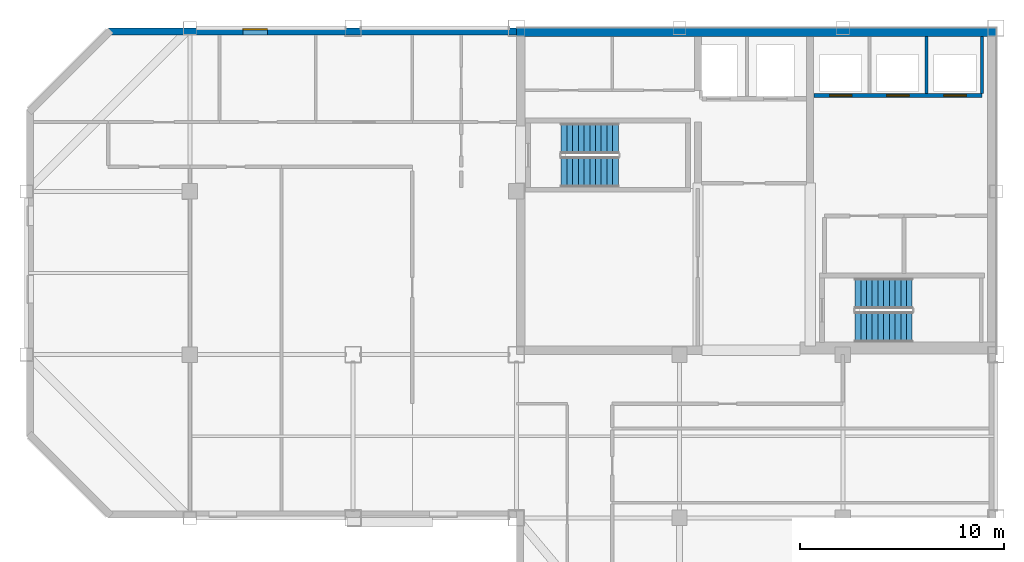
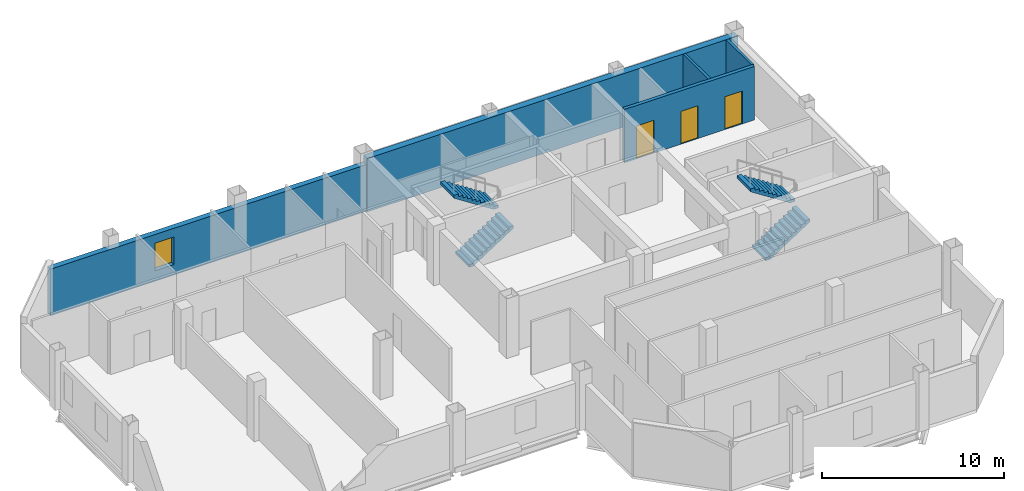
# One storey, part 4 of 7: 5 walls, 4 stair flights, 3 doors, 1 window, 4 openings, 2 elements without a shape of their own.
"""IFC4 building model written with IfcOpenShell, lengths in metres."""

from ifc_helpers import new_model, si_unit, direction, frame, frame_2d, origin, place, context, subcontext, project, spatial, polyline, rectangle, outline, extrude, material, layer, layer_set, type_object, element, fill, aggregate, save


model = new_model("IFC4")

# Units and contexts
model_context = context("Model", 3, precision=1e-05, world=origin(), true_north=direction((0.0, 1.0)))
body_context = subcontext(model_context, "Body", "Model", "MODEL_VIEW")
ifc_project = project(units=[si_unit("LENGTHUNIT", "METRE"), si_unit("AREAUNIT", "SQUARE_METRE"), si_unit("VOLUMEUNIT", "CUBIC_METRE"), si_unit("PLANEANGLEUNIT", "RADIAN"), si_unit("MASSUNIT", "GRAM", prefix="KILO")], contexts=[model_context])

# Site, building, storey
site_placement = place(None, origin())
site = spatial("IfcSite", under=ifc_project, at=site_placement, CompositionType="ELEMENT")
building_placement = place(site_placement, origin())
building = spatial("IfcBuilding", under=site, at=building_placement, Name="Qianrong Seaharbour Tower", CompositionType="ELEMENT")
storey_placement = place(building_placement, frame((0.0, 0.0, 363.199951171875)))
storey = spatial("IfcBuildingStorey", under=building, at=storey_placement, Name="L88", CompositionType="ELEMENT", Elevation=363.199951171875)

# Wall
ifc_material_1 = material(Name="Concrete C50/60", Category="concrete")
ifc_layer_1 = layer(ifc_material_1, 0.419921875)
ifc_layer_set_1 = layer_set([ifc_layer_1], Name="Concrete C50/60")
wall_type_1 = type_object("IfcWallType", Name="WALL-CORE-420", PredefinedType="SHEAR", material=ifc_layer_set_1)
wall_1_placement = place(storey_placement, frame((40.5, 51.7900390625, 0.0), z_axis=(0.0, 0.0, 1.0), x_axis=(1.0, 0.0, 0.0)))
element("IfcWall", 1, at=wall_1_placement, inside=storey, type_object=wall_type_1, Name="L88 North Core Shear Wall", PredefinedType="SHEAR", context=body_context, shape_type="SweptSolid", body=[
    extrude(rectangle(XDim=23.5, YDim=0.419921875, at=frame_2d((11.75, 0.0))), origin(), (0.0, 0.0, 1.0), 3.580078125),
])

# Wall, opening, window
ifc_material_2 = material(Name="Unitised buff brick on Precast concrete C45/55", Category="masonry")
ifc_layer_2 = layer(ifc_material_2, 0.340087890625)
ifc_layer_set_2 = layer_set([ifc_layer_2], Name="Unitised buff brick on Precast concrete C45/55")
wall_type_2 = type_object("IfcWallType", Name="WALL-EXT-BRICK-BUFF-340", PredefinedType="SOLIDWALL", material=ifc_layer_set_2)
wall_2_placement = place(storey_placement, frame((20.5, 51.830078125, 0.0), z_axis=(0.0, 0.0, 1.0), x_axis=(1.0, 0.0, 0.0)))
wall_2 = element("IfcWall", 2, at=wall_2_placement, inside=storey, type_object=wall_type_2, Name="L88 Exterior Masonry Facade Wall NORTH_WING", PredefinedType="SOLIDWALL", context=body_context, shape_type="SweptSolid", body=[
    extrude(rectangle(XDim=20.02001953125, YDim=0.340087890625, at=frame_2d((10.010009765625, 0.0))), origin(), (0.0, 0.0, 1.0), 3.130126953125),
])
opening_1_placement = place(wall_2_placement, frame((6.60009765625, 0.0, 0.699951171875)))
opening_1 = element("IfcOpeningElement", 3, at=opening_1_placement, cuts=wall_2, Name="Opening WN-01", PredefinedType="OPENING", context=body_context, shape_type="SweptSolid", body=[
    extrude(rectangle(XDim=1.199951171875, YDim=1.85009765625, at=frame_2d((0.60009765625, 0.925048828125))), frame((0.0, 0.18017578125, 0.0), z_axis=(0.0, -1.0, 0.0), x_axis=(1.0, 0.0, 0.0)), (0.0, 0.0, 1.0), 0.360107421875),
])
ifc_material_3 = material(Name="Insulated low-e double glazing in thermally broken aluminium 6063-T6 frame", Category="aluminium")
window_type = type_object("IfcWindowType", Name="WIN-PUNCH-1200x1850", PartitioningType="DOUBLE_PANEL_VERTICAL", PredefinedType="WINDOW", material=ifc_material_3)
window_placement = place(opening_1_placement, origin())
window = element("IfcWindow", 4, at=window_placement, inside=storey, type_object=window_type, Name="L88 Deep-Set Punched Window 05.02", OverallHeight=1.85009765625, OverallWidth=1.199951171875, PartitioningType="DOUBLE_PANEL_VERTICAL", PredefinedType="WINDOW", context=body_context, shape_type="SweptSolid", body=[
    extrude(rectangle(XDim=1.199951171875, YDim=1.85009765625, at=frame_2d((0.60009765625, 0.925048828125))), frame((0.0, 0.150146484375, 0.0), z_axis=(0.0, -1.0, 0.0), x_axis=(1.0, 0.0, 0.0)), (0.0, 0.0, 1.0), 0.06005859375),
])
fill(opening_1, window)

# Walls
ifc_material_4 = material(Name="Fire-rated gypsum board on steel studs", Category="steel")
ifc_layer_3 = layer(ifc_material_4, 0.14990234375)
ifc_layer_set_3 = layer_set([ifc_layer_3], Name="Fire-rated gypsum board on steel studs")
wall_type_3 = type_object("IfcWallType", Name="WALL-SHAFT-DIV-150", PredefinedType="PARTITIONING", material=ifc_layer_set_3)
for number, where, z_axis, x_axis, name in (
    (5, (60.60009765625, 48.81005859375, 0.0), (0.0, 0.0, 1.0), (0.0, 1.0, 0.0), "L88 P4 Lift Hoistway Divider 3"),
    (6, (63.320068359375, 48.81005859375, 0.0), (0.0, 0.0, 1.0), (0.0, 1.0, 0.0), "L88 P4 Lift Hoistway Divider 4"),
):
    element("IfcWall", number, at=place(storey_placement, frame(where, z_axis=z_axis, x_axis=x_axis)), inside=storey, type_object=wall_type_3, Name=name, PredefinedType="PARTITIONING", context=body_context, shape_type="SweptSolid", body=[
        extrude(rectangle(XDim=2.77001953125, YDim=0.14990234375, at=frame_2d((1.385009765625, 0.0))), origin(), (0.0, 0.0, 1.0), 3.580078125),
    ])

# Wall, openings, doors
ifc_layer_4 = layer(ifc_material_4, 0.219970703125)
ifc_layer_set_4 = layer_set([ifc_layer_4], Name="Fire-rated gypsum board on steel studs")
wall_type_4 = type_object("IfcWallType", Name="WALL-SHAFT-GYP220", PredefinedType="PARTITIONING", material=ifc_layer_set_4)
wall_3_placement = place(storey_placement, frame((63.320068359375, 48.699951171875, 0.0), z_axis=(0.0, 0.0, 1.0), x_axis=(-1.0, 0.0, 0.0)))
wall_3 = element("IfcWall", 7, at=wall_3_placement, inside=storey, type_object=wall_type_4, Name="L88 P4 Lift Hoistway Front Wall", PredefinedType="PARTITIONING", context=body_context, shape_type="SweptSolid", body=[
    extrude(rectangle(XDim=8.239990234375, YDim=0.219970703125, at=frame_2d((4.1201171875, 0.0))), origin(), (0.0, 0.0, 1.0), 3.580078125),
])
opening_2_placement = place(wall_3_placement, frame((6.3701171875, 0.0, 0.0)))
opening_2 = element("IfcOpeningElement", 8, at=opening_2_placement, cuts=wall_3, Name="Opening LD-02", PredefinedType="OPENING", context=body_context, shape_type="SweptSolid", body=[
    extrude(rectangle(XDim=1.10009765625, YDim=2.199951171875, at=frame_2d((0.550048828125, 1.10009765625))), frame((0.0, 0.1201171875, 0.0), z_axis=(0.0, -1.0, 0.0), x_axis=(1.0, 0.0, 0.0)), (0.0, 0.0, 1.0), 0.239990234375),
])
opening_3_placement = place(wall_3_placement, frame((3.570068359375, 0.0, 0.0)))
opening_3 = element("IfcOpeningElement", 9, at=opening_3_placement, cuts=wall_3, Name="Opening LD-02", PredefinedType="OPENING", context=body_context, shape_type="SweptSolid", body=[
    extrude(rectangle(XDim=1.10009765625, YDim=2.199951171875, at=frame_2d((0.550048828125, 1.10009765625))), frame((0.0, 0.1201171875, 0.0), z_axis=(0.0, -1.0, 0.0), x_axis=(1.0, 0.0, 0.0)), (0.0, 0.0, 1.0), 0.239990234375),
])
opening_4_placement = place(wall_3_placement, frame((0.77001953125, 0.0, 0.0)))
opening_4 = element("IfcOpeningElement", 10, at=opening_4_placement, cuts=wall_3, Name="Opening LD-02", PredefinedType="OPENING", context=body_context, shape_type="SweptSolid", body=[
    extrude(rectangle(XDim=1.10009765625, YDim=2.199951171875, at=frame_2d((0.550048828125, 1.10009765625))), frame((0.0, 0.1201171875, 0.0), z_axis=(0.0, -1.0, 0.0), x_axis=(1.0, 0.0, 0.0)), (0.0, 0.0, 1.0), 0.239990234375),
])
ifc_material_5 = material(Name="Stainless steel SUS316L bi-parting lift landing door", Category="steel")
door_type = type_object("IfcDoorType", Name="DOOR-LIFT-PASS-1100x2200", OperationType="DOUBLE_DOOR_SLIDING", PredefinedType="DOOR", material=ifc_material_5)
door_1_placement = place(opening_2_placement, origin())
door_1 = element("IfcDoor", 11, at=door_1_placement, inside=storey, type_object=door_type, Name="L88 PL-4A Lift Landing Door", OperationType="DOUBLE_DOOR_SLIDING", OverallHeight=2.199951171875, OverallWidth=1.10009765625, PredefinedType="DOOR", context=body_context, shape_type="SweptSolid", body=[
    extrude(rectangle(XDim=1.10009765625, YDim=2.199951171875, at=frame_2d((0.550048828125, 1.10009765625))), frame((0.0, 0.02490234375, 0.0), z_axis=(0.0, -1.0, 0.0), x_axis=(1.0, 0.0, 0.0)), (0.0, 0.0, 1.0), 0.050048828125),
])
fill(opening_2, door_1)
door_2_placement = place(opening_3_placement, origin())
door_2 = element("IfcDoor", 12, at=door_2_placement, inside=storey, type_object=door_type, Name="L88 PL-4B Lift Landing Door", OperationType="DOUBLE_DOOR_SLIDING", OverallHeight=2.199951171875, OverallWidth=1.10009765625, PredefinedType="DOOR", context=body_context, shape_type="SweptSolid", body=[
    extrude(rectangle(XDim=1.10009765625, YDim=2.199951171875, at=frame_2d((0.550048828125, 1.10009765625))), frame((0.0, 0.02490234375, 0.0), z_axis=(0.0, -1.0, 0.0), x_axis=(1.0, 0.0, 0.0)), (0.0, 0.0, 1.0), 0.050048828125),
])
fill(opening_3, door_2)
door_3_placement = place(opening_4_placement, origin())
door_3 = element("IfcDoor", 13, at=door_3_placement, inside=storey, type_object=door_type, Name="L88 PL-4C Lift Landing Door", OperationType="DOUBLE_DOOR_SLIDING", OverallHeight=2.199951171875, OverallWidth=1.10009765625, PredefinedType="DOOR", context=body_context, shape_type="SweptSolid", body=[
    extrude(rectangle(XDim=1.10009765625, YDim=2.199951171875, at=frame_2d((0.550048828125, 1.10009765625))), frame((0.0, 0.02490234375, 0.0), z_axis=(0.0, -1.0, 0.0), x_axis=(1.0, 0.0, 0.0)), (0.0, 0.0, 1.0), 0.050048828125),
])
fill(opening_4, door_3)

# Stair, stair flights
stair_type = type_object("IfcStairType", Name="STAIR-DOGLEG-1500-R22", PredefinedType="HALF_TURN_STAIR", material=ifc_material_1)
stair_1_placement = place(storey_placement, origin())
stair_1 = element("IfcStair", 14, at=stair_1_placement, inside=storey, type_object=stair_type, Name="L88 Protected Escape Stair ST-1", PredefinedType="HALF_TURN_STAIR")
stair_flight_type = type_object("IfcStairFlightType", Name="FLIGHT-STR-1500-R22", PredefinedType="STRAIGHT", material=ifc_material_1)
stair_flight_1_placement = place(storey_placement, frame((42.699951171875, 44.949951171875, 0.0), z_axis=(0.0, 0.0, 1.0), x_axis=(1.0, 0.0, 0.0)))
stair_flight_1 = element("IfcStairFlight", 15, at=stair_flight_1_placement, type_object=stair_flight_type, Name="ST-1 flight 1", NumberOfRisers=11, NumberOfTreads=10, PredefinedType="STRAIGHT", RiserHeight=0.181818182, TreadLength=0.28, context=body_context, shape_type="SweptSolid", body=[
    extrude(outline(polyline([(0.0, 0.0), (0.0, 0.181884765625), (0.280029296875, 0.181884765625), (0.280029296875, 0.363525390625), (0.56005859375, 0.363525390625), (0.56005859375, 0.54541015625), (0.840087890625, 0.54541015625), (0.840087890625, 0.727294921875), (1.1201171875, 0.727294921875), (1.1201171875, 0.9091796875), (1.39990234375, 0.9091796875), (1.39990234375, 1.0908203125), (1.679931640625, 1.0908203125), (1.679931640625, 1.272705078125), (1.9599609375, 1.272705078125), (1.9599609375, 1.45458984375), (2.239990234375, 1.45458984375), (2.239990234375, 1.636474609375), (2.52001953125, 1.636474609375), (2.52001953125, 1.818115234375), (2.800048828125, 1.818115234375), (2.800048828125, 2.0), (2.800048828125, 1.62744140625), (0.293701171875, 0.0), (0.0, 0.0)])), frame((0.0, 0.75, 0.0), z_axis=(0.0, -1.0, 0.0), x_axis=(1.0, 0.0, 0.0)), (0.0, 0.0, 1.0), 1.5),
])
stair_flight_2_placement = place(storey_placement, frame((45.5, 46.60009765625, 2.0), z_axis=(0.0, 0.0, 1.0), x_axis=(-1.0, 0.0, 0.0)))
stair_flight_2 = element("IfcStairFlight", 16, at=stair_flight_2_placement, type_object=stair_flight_type, Name="ST-1 flight 2", NumberOfRisers=11, NumberOfTreads=10, PredefinedType="STRAIGHT", RiserHeight=0.181818182, TreadLength=0.28, context=body_context, shape_type="SweptSolid", body=[
    extrude(outline(polyline([(0.0, 0.0), (0.0, 0.181884765625), (0.280029296875, 0.181884765625), (0.280029296875, 0.363525390625), (0.56005859375, 0.363525390625), (0.56005859375, 0.54541015625), (0.840087890625, 0.54541015625), (0.840087890625, 0.727294921875), (1.1201171875, 0.727294921875), (1.1201171875, 0.9091796875), (1.39990234375, 0.9091796875), (1.39990234375, 1.0908203125), (1.679931640625, 1.0908203125), (1.679931640625, 1.272705078125), (1.9599609375, 1.272705078125), (1.9599609375, 1.45458984375), (2.239990234375, 1.45458984375), (2.239990234375, 1.636474609375), (2.52001953125, 1.636474609375), (2.52001953125, 1.818115234375), (2.800048828125, 1.818115234375), (2.800048828125, 2.0), (2.800048828125, 1.62744140625), (0.293701171875, 0.0), (0.0, 0.0)])), frame((0.0, 0.75, 0.0), z_axis=(0.0, -1.0, 0.0), x_axis=(1.0, 0.0, 0.0)), (0.0, 0.0, 1.0), 1.5),
])
aggregate(stair_1, [stair_flight_1, stair_flight_2])

stair_2_placement = place(storey_placement, origin())
stair_2 = element("IfcStair", 17, at=stair_2_placement, inside=storey, type_object=stair_type, Name="L88 Protected Escape Stair ST-2", PredefinedType="HALF_TURN_STAIR")
stair_flight_3_placement = place(storey_placement, frame((57.10009765625, 37.35009765625, 0.0), z_axis=(0.0, 0.0, 1.0), x_axis=(1.0, 0.0, 0.0)))
stair_flight_3 = element("IfcStairFlight", 18, at=stair_flight_3_placement, type_object=stair_flight_type, Name="ST-2 flight 1", NumberOfRisers=11, NumberOfTreads=10, PredefinedType="STRAIGHT", RiserHeight=0.181818182, TreadLength=0.28, context=body_context, shape_type="SweptSolid", body=[
    extrude(outline(polyline([(0.0, 0.0), (0.0, 0.181884765625), (0.280029296875, 0.181884765625), (0.280029296875, 0.363525390625), (0.56005859375, 0.363525390625), (0.56005859375, 0.54541015625), (0.840087890625, 0.54541015625), (0.840087890625, 0.727294921875), (1.1201171875, 0.727294921875), (1.1201171875, 0.9091796875), (1.39990234375, 0.9091796875), (1.39990234375, 1.0908203125), (1.679931640625, 1.0908203125), (1.679931640625, 1.272705078125), (1.9599609375, 1.272705078125), (1.9599609375, 1.45458984375), (2.239990234375, 1.45458984375), (2.239990234375, 1.636474609375), (2.52001953125, 1.636474609375), (2.52001953125, 1.818115234375), (2.800048828125, 1.818115234375), (2.800048828125, 2.0), (2.800048828125, 1.62744140625), (0.293701171875, 0.0), (0.0, 0.0)])), frame((0.0, 0.75, 0.0), z_axis=(0.0, -1.0, 0.0), x_axis=(1.0, 0.0, 0.0)), (0.0, 0.0, 1.0), 1.5),
])
stair_flight_4_placement = place(storey_placement, frame((59.89990234375, 39.0, 2.0), z_axis=(0.0, 0.0, 1.0), x_axis=(-1.0, 0.0, 0.0)))
stair_flight_4 = element("IfcStairFlight", 19, at=stair_flight_4_placement, type_object=stair_flight_type, Name="ST-2 flight 2", NumberOfRisers=11, NumberOfTreads=10, PredefinedType="STRAIGHT", RiserHeight=0.181818182, TreadLength=0.28, context=body_context, shape_type="SweptSolid", body=[
    extrude(outline(polyline([(0.0, 0.0), (0.0, 0.181884765625), (0.280029296875, 0.181884765625), (0.280029296875, 0.363525390625), (0.56005859375, 0.363525390625), (0.56005859375, 0.54541015625), (0.840087890625, 0.54541015625), (0.840087890625, 0.727294921875), (1.1201171875, 0.727294921875), (1.1201171875, 0.9091796875), (1.39990234375, 0.9091796875), (1.39990234375, 1.0908203125), (1.679931640625, 1.0908203125), (1.679931640625, 1.272705078125), (1.9599609375, 1.272705078125), (1.9599609375, 1.45458984375), (2.239990234375, 1.45458984375), (2.239990234375, 1.636474609375), (2.52001953125, 1.636474609375), (2.52001953125, 1.818115234375), (2.800048828125, 1.818115234375), (2.800048828125, 2.0), (2.800048828125, 1.62744140625), (0.293701171875, 0.0), (0.0, 0.0)])), frame((0.0, 0.75, 0.0), z_axis=(0.0, -1.0, 0.0), x_axis=(1.0, 0.0, 0.0)), (0.0, 0.0, 1.0), 1.5),
])
aggregate(stair_2, [stair_flight_3, stair_flight_4])

save(model, "model.ifc")
